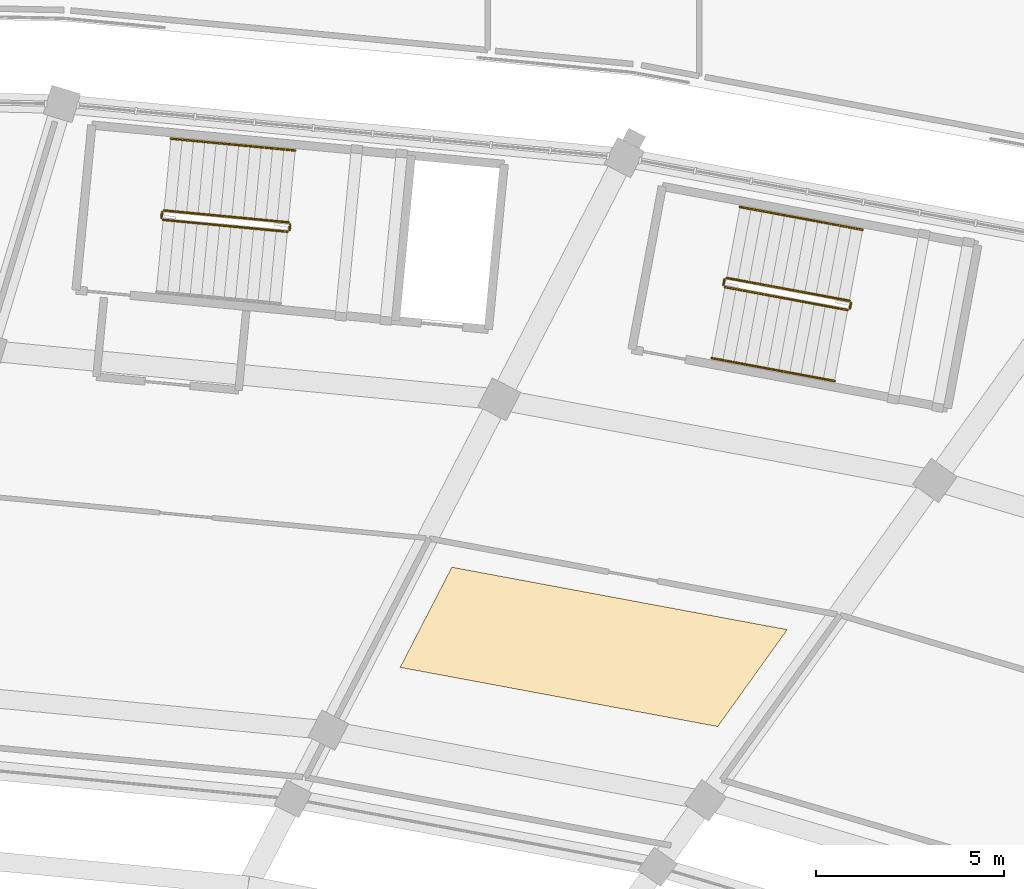
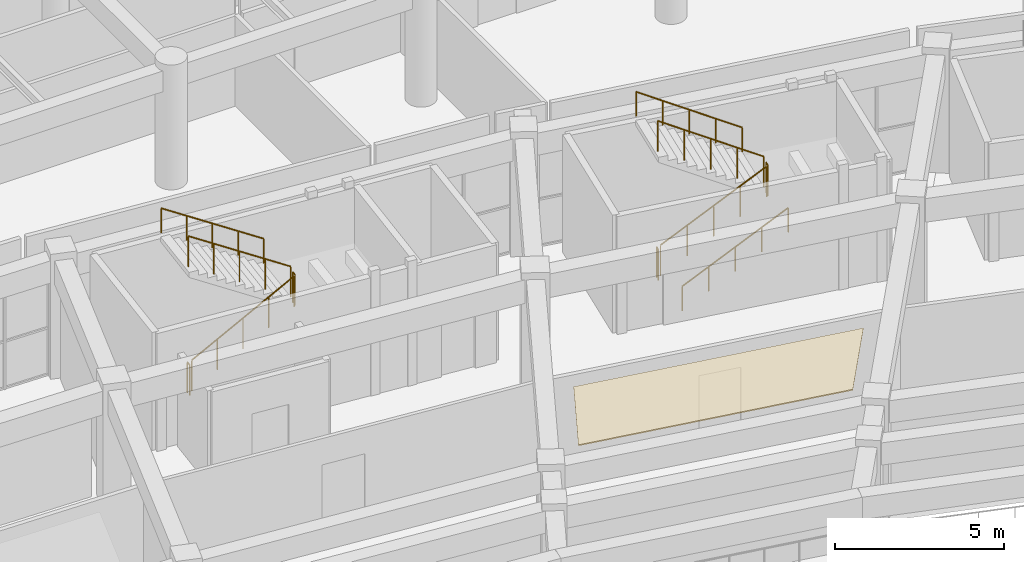
# One storey, part 142 of 145: 11 railings, 1 covering.
"""IFC4 building model written with IfcOpenShell, lengths in metres."""

from ifc_helpers import new_model, si_unit, direction, frame, origin, origin_2d, place, context, subcontext, project, spatial, polyline, circle, outline, extrude, material, layer, layer_set, type_object, element, save


model = new_model("IFC4")

# Units and contexts
model_context = context("Model", 3, precision=1e-05, world=origin(), true_north=direction((0.0, 1.0)))
body_context = subcontext(model_context, "Body", "Model", "MODEL_VIEW")
ifc_project = project(units=[si_unit("LENGTHUNIT", "METRE"), si_unit("AREAUNIT", "SQUARE_METRE"), si_unit("VOLUMEUNIT", "CUBIC_METRE"), si_unit("PLANEANGLEUNIT", "RADIAN"), si_unit("MASSUNIT", "GRAM", prefix="KILO")], contexts=[model_context])

# Site, building, storey
site_placement = place(None, origin())
site = spatial("IfcSite", under=ifc_project, at=site_placement, CompositionType="ELEMENT")
building_placement = place(site_placement, origin())
building = spatial("IfcBuilding", under=site, at=building_placement, Name="Mphavela Belvedere Stadium", CompositionType="ELEMENT")
storey_placement = place(building_placement, frame((0.0, 0.0, 10.199951171875)))
storey = spatial("IfcBuildingStorey", under=building, at=storey_placement, Name="L02", CompositionType="ELEMENT", Elevation=10.199951171875)

# Covering
ifc_material_1 = material(Name="Perforated acoustic mineral ceiling tile")
ifc_layer = layer(ifc_material_1, 0.0400390625)
ifc_layer_set = layer_set([ifc_layer], Name="Perforated acoustic mineral ceiling tile")
covering_type = type_object("IfcCoveringType", Name="COV-CEILING-ACOUSTIC", PredefinedType="CEILING", material=ifc_layer_set)
covering_placement = place(storey_placement, frame((0.0, 0.0, 3.199951171875)))
element("IfcCovering", 1, at=covering_placement, inside=storey, type_object=covering_type, Name="Concourse acoustic ceiling L02-10", PredefinedType="CEILING", context=body_context, shape_type="SweptSolid", body=[
    extrude(outline(polyline([(154.560546875, 143.632568359375), (146.1123046875, 145.2060546875), (147.489013671875, 147.870849609375), (156.409912109375, 146.20947265625), (154.560546875, 143.632568359375)])), origin(), (0.0, 0.0, 1.0), 0.0400390625),
])

# Railings
ifc_material_2 = material(Name="Painted galvanised steel stair guardrail", Category="steel")
railing_type_1 = type_object("IfcRailingType", Name="RAL-GUARD-1120", PredefinedType="GUARDRAIL", material=ifc_material_2)
railing_1_placement = place(storey_placement, frame((139.807861328125, 157.11181640625, 0.1875)))
element("IfcRailing", 2, at=railing_1_placement, inside=storey, type_object=railing_type_1, Name="L02 ST-C03 stair guard 1", PredefinedType="GUARDRAIL", context=body_context, shape_type="SweptSolid", body=[
    extrude(circle(Radius=0.02392578125, at=origin_2d()), frame((0.0, 0.0, 1.09619140625), z_axis=(0.845746533962, -0.080666213043, 0.52745214225), x_axis=(0.094947812552, 0.99548225142, 0.0)), (0.0, 0.0, 1.0), 3.910400390625),
    extrude(circle(Radius=0.02099609375, at=origin_2d()), origin(), (0.0, 0.0, 1.0), 1.072021484375),
    extrude(circle(Radius=0.02099609375, at=origin_2d()), frame((0.82666015625, -0.078857421875, 0.515625)), (0.0, 0.0, 1.0), 1.072021484375),
    extrude(circle(Radius=0.02099609375, at=origin_2d()), frame((1.653564453125, -0.15771484375, 1.03125)), (0.0, 0.0, 1.0), 1.072021484375),
    extrude(circle(Radius=0.02099609375, at=origin_2d()), frame((2.48046875, -0.236572265625, 1.546875)), (0.0, 0.0, 1.0), 1.072021484375),
    extrude(circle(Radius=0.02099609375, at=origin_2d()), frame((3.30712890625, -0.3154296875, 2.0625)), (0.0, 0.0, 1.0), 1.072021484375),
])
railing_2_placement = place(storey_placement, frame((143.16943359375, 156.84130859375, 2.25)))
element("IfcRailing", 3, at=railing_2_placement, inside=storey, type_object=railing_type_1, Name="L02 ST-C03 stair guard 2", PredefinedType="GUARDRAIL", context=body_context, shape_type="SweptSolid", body=[
    extrude(circle(Radius=0.02392578125, at=origin_2d()), frame((0.0, 0.0, 1.09619140625), z_axis=(0.095960333934, 0.995385158776, 0.0), x_axis=(-0.995385158776, 0.095960333934, 0.0)), (0.0, 0.0, 1.0), 0.150146484375),
    extrude(circle(Radius=0.02099609375, at=origin_2d()), origin(), (0.0, 0.0, 1.0), 1.072021484375),
    extrude(circle(Radius=0.02099609375, at=origin_2d()), frame((0.014404296875, 0.1494140625, 0.0)), (0.0, 0.0, 1.0), 1.072021484375),
])
railing_3_placement = place(storey_placement, frame((143.138671875, 157.045166015625, 2.4375)))
element("IfcRailing", 4, at=railing_3_placement, inside=storey, type_object=railing_type_1, Name="L02 ST-C03 stair guard 3", PredefinedType="GUARDRAIL", context=body_context, shape_type="SweptSolid", body=[
    extrude(circle(Radius=0.02392578125, at=origin_2d()), frame((0.0, 0.0, 1.09619140625), z_axis=(-0.845728756468, 0.080670472747, 0.527479995175), x_axis=(-0.094954759157, -0.995481588837, 0.0)), (0.0, 0.0, 1.0), 3.91015625),
    extrude(circle(Radius=0.02099609375, at=origin_2d()), origin(), (0.0, 0.0, 1.0), 1.072021484375),
    extrude(circle(Radius=0.02099609375, at=origin_2d()), frame((-0.82666015625, 0.078857421875, 0.515625)), (0.0, 0.0, 1.0), 1.072021484375),
    extrude(circle(Radius=0.02099609375, at=origin_2d()), frame((-1.6533203125, 0.15771484375, 1.03125)), (0.0, 0.0, 1.0), 1.072021484375),
    extrude(circle(Radius=0.02099609375, at=origin_2d()), frame((-2.480224609375, 0.236572265625, 1.546875)), (0.0, 0.0, 1.0), 1.072021484375),
    extrude(circle(Radius=0.02099609375, at=origin_2d()), frame((-3.306884765625, 0.3154296875, 2.0625)), (0.0, 0.0, 1.0), 1.072021484375),
])
railing_4_placement = place(storey_placement, frame((139.762939453125, 157.166259765625, 0.0)))
element("IfcRailing", 5, at=railing_4_placement, inside=storey, type_object=railing_type_1, Name="L02 ST-C03 stair guard 4", PredefinedType="GUARDRAIL", context=body_context, shape_type="SweptSolid", body=[
    extrude(circle(Radius=0.02392578125, at=origin_2d()), frame((0.0, 0.0, 1.09619140625), z_axis=(0.094348489313, 0.995539232057, 0.0), x_axis=(-0.995539232057, 0.094348489313, 0.0)), (0.0, 0.0, 1.0), 0.150146484375),
    extrude(circle(Radius=0.02099609375, at=origin_2d()), origin(), (0.0, 0.0, 1.0), 1.072021484375),
    extrude(circle(Radius=0.02099609375, at=origin_2d()), frame((0.01416015625, 0.1494140625, 0.0)), (0.0, 0.0, 1.0), 1.072021484375),
])
railing_5_placement = place(storey_placement, frame((154.753173828125, 155.321044921875, 0.1875)))
element("IfcRailing", 6, at=railing_5_placement, inside=storey, type_object=railing_type_1, Name="L02 ST-P02 stair guard 1", PredefinedType="GUARDRAIL", context=body_context, shape_type="SweptSolid", body=[
    extrude(circle(Radius=0.02392578125, at=origin_2d()), frame((0.0, 0.0, 1.09619140625), z_axis=(0.835209949234, -0.155591178402, 0.527461587137), x_axis=(0.183139178697, 0.983086995757, 0.0)), (0.0, 0.0, 1.0), 3.91015625),
    extrude(circle(Radius=0.02099609375, at=origin_2d()), origin(), (0.0, 0.0, 1.0), 1.072021484375),
    extrude(circle(Radius=0.02099609375, at=origin_2d()), frame((0.81640625, -0.152099609375, 0.515625)), (0.0, 0.0, 1.0), 1.072021484375),
    extrude(circle(Radius=0.02099609375, at=origin_2d()), frame((1.6328125, -0.30419921875, 1.03125)), (0.0, 0.0, 1.0), 1.072021484375),
    extrude(circle(Radius=0.02099609375, at=origin_2d()), frame((2.449462890625, -0.456298828125, 1.546875)), (0.0, 0.0, 1.0), 1.072021484375),
    extrude(circle(Radius=0.02099609375, at=origin_2d()), frame((3.265869140625, -0.6083984375, 2.0625)), (0.0, 0.0, 1.0), 1.072021484375),
])
railing_6_placement = place(storey_placement, frame((158.077392578125, 154.752685546875, 2.25)))
element("IfcRailing", 7, at=railing_6_placement, inside=storey, type_object=railing_type_1, Name="L02 ST-P02 stair guard 2", PredefinedType="GUARDRAIL", context=body_context, shape_type="SweptSolid", body=[
    extrude(circle(Radius=0.02392578125, at=origin_2d()), frame((0.0, 0.0, 1.09619140625), z_axis=(0.183895489382, 0.982945801652, 0.0), x_axis=(-0.982945801652, 0.183895489382, 0.0)), (0.0, 0.0, 1.0), 0.14990234375),
    extrude(circle(Radius=0.02099609375, at=origin_2d()), origin(), (0.0, 0.0, 1.0), 1.072021484375),
    extrude(circle(Radius=0.02099609375, at=origin_2d()), frame((0.027587890625, 0.1474609375, 0.0)), (0.0, 0.0, 1.0), 1.072021484375),
])
railing_7_placement = place(storey_placement, frame((158.06494140625, 154.95849609375, 2.4375)))
element("IfcRailing", 8, at=railing_7_placement, inside=storey, type_object=railing_type_1, Name="L02 ST-P02 stair guard 3", PredefinedType="GUARDRAIL", context=body_context, shape_type="SweptSolid", body=[
    extrude(circle(Radius=0.02392578125, at=origin_2d()), frame((0.0, 0.0, 1.09619140625), z_axis=(-0.835218061398, 0.155530252743, 0.527466710226), x_axis=(-0.183068151301, -0.983100224789, 0.0)), (0.0, 0.0, 1.0), 3.91015625),
    extrude(circle(Radius=0.02099609375, at=origin_2d()), origin(), (0.0, 0.0, 1.0), 1.072021484375),
    extrude(circle(Radius=0.02099609375, at=origin_2d()), frame((-0.81640625, 0.152099609375, 0.515625)), (0.0, 0.0, 1.0), 1.072021484375),
    extrude(circle(Radius=0.02099609375, at=origin_2d()), frame((-1.6328125, 0.30419921875, 1.03125)), (0.0, 0.0, 1.0), 1.072021484375),
    extrude(circle(Radius=0.02099609375, at=origin_2d()), frame((-2.449462890625, 0.4560546875, 1.546875)), (0.0, 0.0, 1.0), 1.072021484375),
    extrude(circle(Radius=0.02099609375, at=origin_2d()), frame((-3.265869140625, 0.608154296875, 2.0625)), (0.0, 0.0, 1.0), 1.072021484375),
])
railing_8_placement = place(storey_placement, frame((154.713134765625, 155.379150390625, 0.0)))
element("IfcRailing", 9, at=railing_8_placement, inside=storey, type_object=railing_type_1, Name="L02 ST-P02 stair guard 4", PredefinedType="GUARDRAIL", context=body_context, shape_type="SweptSolid", body=[
    extrude(circle(Radius=0.02392578125, at=origin_2d()), frame((0.0, 0.0, 1.09619140625), z_axis=(0.183895489382, 0.982945801652, 0.0), x_axis=(-0.982945801652, 0.183895489382, 0.0)), (0.0, 0.0, 1.0), 0.14990234375),
    extrude(circle(Radius=0.02099609375, at=origin_2d()), origin(), (0.0, 0.0, 1.0), 1.072021484375),
    extrude(circle(Radius=0.02099609375, at=origin_2d()), frame((0.027587890625, 0.1474609375, 0.0)), (0.0, 0.0, 1.0), 1.072021484375),
])
ifc_material_3 = material(Name="Brushed stainless steel tubular handrail", Category="steel")
railing_type_2 = type_object("IfcRailingType", Name="RAL-HANDRAIL-900", PredefinedType="HANDRAIL", material=ifc_material_3)
railing_9_placement = place(storey_placement, frame((143.321044921875, 158.95654296875, 2.4375)))
element("IfcRailing", 10, at=railing_9_placement, inside=storey, type_object=railing_type_2, Name="L02 ST-C03 stair handrail 2", PredefinedType="HANDRAIL", context=body_context, shape_type="SweptSolid", body=[
    extrude(circle(Radius=0.02392578125, at=origin_2d()), frame((0.0, 0.0, 0.8759765625), z_axis=(-0.845728756468, 0.080670472747, 0.527479995175), x_axis=(-0.094954759157, -0.995481588837, 0.0)), (0.0, 0.0, 1.0), 3.91015625),
    extrude(circle(Radius=0.02099609375, at=origin_2d()), origin(), (0.0, 0.0, 1.0), 0.851806640625),
    extrude(circle(Radius=0.02099609375, at=origin_2d()), frame((-0.82666015625, 0.078857421875, 0.515625)), (0.0, 0.0, 1.0), 0.851806640625),
    extrude(circle(Radius=0.02099609375, at=origin_2d()), frame((-1.6533203125, 0.15771484375, 1.03125)), (0.0, 0.0, 1.0), 0.851806640625),
    extrude(circle(Radius=0.02099609375, at=origin_2d()), frame((-2.480224609375, 0.236572265625, 1.546875)), (0.0, 0.0, 1.0), 0.851806640625),
    extrude(circle(Radius=0.02099609375, at=origin_2d()), frame((-3.306884765625, 0.3154296875, 2.0625)), (0.0, 0.0, 1.0), 0.851806640625),
])
railing_10_placement = place(storey_placement, frame((154.401611328125, 153.433349609375, 0.1875)))
element("IfcRailing", 11, at=railing_10_placement, inside=storey, type_object=railing_type_2, Name="L02 ST-P02 stair handrail 1", PredefinedType="HANDRAIL", context=body_context, shape_type="SweptSolid", body=[
    extrude(circle(Radius=0.02392578125, at=origin_2d()), frame((0.0, 0.0, 0.8759765625), z_axis=(0.835218061398, -0.155530252743, 0.527466710226), x_axis=(0.183068151301, 0.983100224789, 0.0)), (0.0, 0.0, 1.0), 3.91015625),
    extrude(circle(Radius=0.02099609375, at=origin_2d()), origin(), (0.0, 0.0, 1.0), 0.851806640625),
    extrude(circle(Radius=0.02099609375, at=origin_2d()), frame((0.81640625, -0.152099609375, 0.515625)), (0.0, 0.0, 1.0), 0.851806640625),
    extrude(circle(Radius=0.02099609375, at=origin_2d()), frame((1.6328125, -0.30419921875, 1.03125)), (0.0, 0.0, 1.0), 0.851806640625),
    extrude(circle(Radius=0.02099609375, at=origin_2d()), frame((2.449462890625, -0.4560546875, 1.546875)), (0.0, 0.0, 1.0), 0.851806640625),
    extrude(circle(Radius=0.02099609375, at=origin_2d()), frame((3.265869140625, -0.608154296875, 2.0625)), (0.0, 0.0, 1.0), 0.851806640625),
])
railing_11_placement = place(storey_placement, frame((158.41650390625, 156.845947265625, 2.4375)))
element("IfcRailing", 12, at=railing_11_placement, inside=storey, type_object=railing_type_2, Name="L02 ST-P02 stair handrail 2", PredefinedType="HANDRAIL", context=body_context, shape_type="SweptSolid", body=[
    extrude(circle(Radius=0.02392578125, at=origin_2d()), frame((0.0, 0.0, 0.8759765625), z_axis=(-0.835209949234, 0.155591178402, 0.527461587137), x_axis=(-0.183139178697, -0.983086995757, 0.0)), (0.0, 0.0, 1.0), 3.91015625),
    extrude(circle(Radius=0.02099609375, at=origin_2d()), origin(), (0.0, 0.0, 1.0), 0.851806640625),
    extrude(circle(Radius=0.02099609375, at=origin_2d()), frame((-0.81640625, 0.152099609375, 0.515625)), (0.0, 0.0, 1.0), 0.851806640625),
    extrude(circle(Radius=0.02099609375, at=origin_2d()), frame((-1.6328125, 0.30419921875, 1.03125)), (0.0, 0.0, 1.0), 0.851806640625),
    extrude(circle(Radius=0.02099609375, at=origin_2d()), frame((-2.449462890625, 0.456298828125, 1.546875)), (0.0, 0.0, 1.0), 0.851806640625),
    extrude(circle(Radius=0.02099609375, at=origin_2d()), frame((-3.265869140625, 0.6083984375, 2.0625)), (0.0, 0.0, 1.0), 0.851806640625),
])

save(model, "model.ifc")
